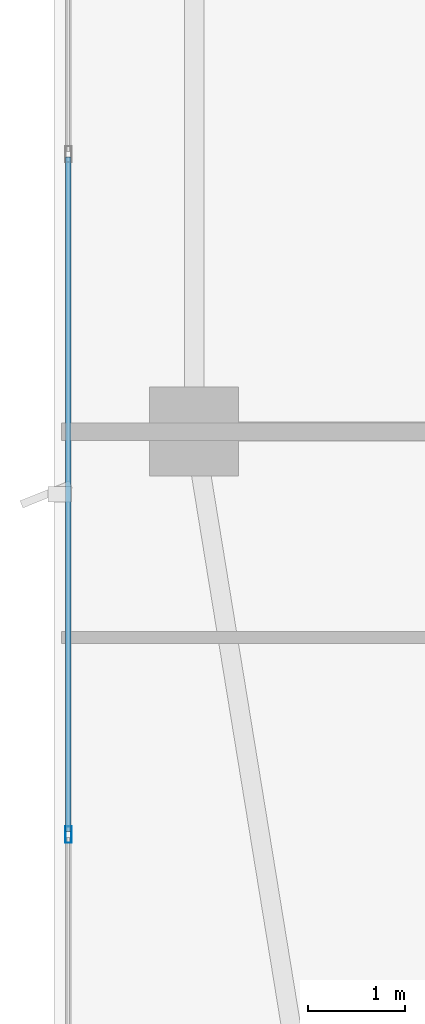
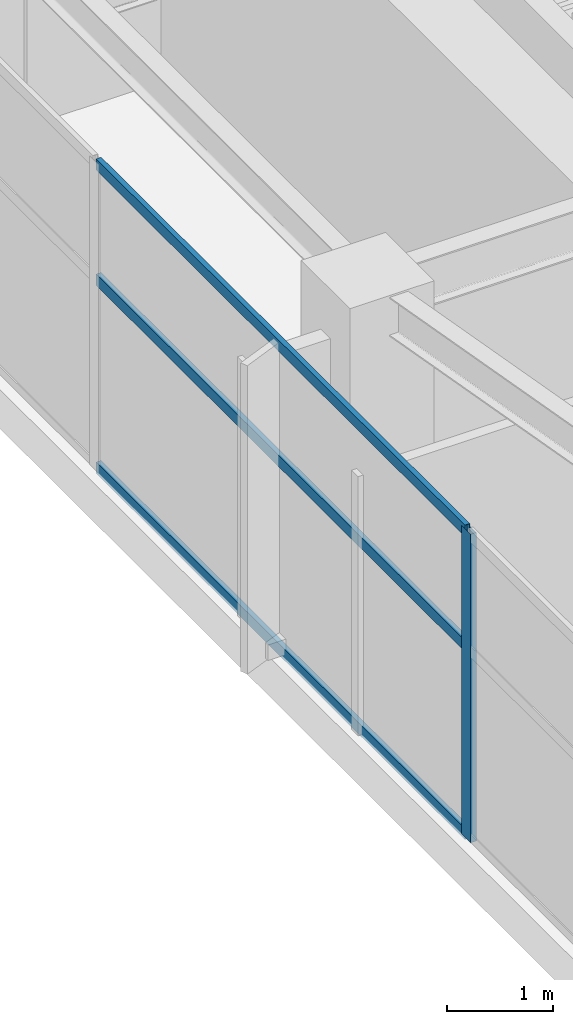
# One storey, part 5 of 28: 4 members, 1 element without a shape of its own.
"""IFC4 building model written with IfcOpenShell, lengths in metres."""

from ifc_helpers import new_model, si_unit, direction, frame, origin, origin_2d, place, context, subcontext, project, spatial, hollow_rectangle, extrude, material, layer, layer_set, material_profile, profile_set, type_object, element, aggregate, save


model = new_model("IFC4")

# Units and contexts
model_context = context("Model", 3, precision=1e-05, world=origin(), true_north=direction((0.0, 1.0)))
body_context = subcontext(model_context, "Body", "Model", "MODEL_VIEW")
ifc_project = project(units=[si_unit("LENGTHUNIT", "METRE"), si_unit("AREAUNIT", "SQUARE_METRE"), si_unit("VOLUMEUNIT", "CUBIC_METRE"), si_unit("PLANEANGLEUNIT", "RADIAN"), si_unit("MASSUNIT", "GRAM", prefix="KILO")], contexts=[model_context])

# Site, building, storey
site_placement = place(None, origin())
site = spatial("IfcSite", under=ifc_project, at=site_placement, CompositionType="ELEMENT")
building_placement = place(site_placement, origin())
building = spatial("IfcBuilding", under=site, at=building_placement, Name="Calvorn Quay Hotel", CompositionType="ELEMENT")
storey_placement = place(building_placement, frame((0.0, 0.0, 263.5)))
storey = spatial("IfcBuildingStorey", under=building, at=storey_placement, Name="L65", CompositionType="ELEMENT", Elevation=263.5)

# Curtain wall, members
ifc_material_1 = material(Name="Champagne Bronze Anodised Aluminium and Low-E Glass", Category="aluminium")
ifc_layer = layer(ifc_material_1, 0.219970703125)
ifc_layer_set = layer_set([ifc_layer], Name="CW-SYS-Z4")
curtain_wall_type = type_object("IfcCurtainWallType", Name="CW-SYS-Z4", PredefinedType="NOTDEFINED", material=ifc_layer_set)
curtain_wall_placement = place(storey_placement, origin())
curtain_wall = element("IfcCurtainWall", 1, at=curtain_wall_placement, inside=storey, type_object=curtain_wall_type, Name="Tower West Curtain Wall (L65)", PredefinedType="NOTDEFINED")
ifc_material_2 = material(Name="Champagne Bronze Anodised Aluminium 6063-T6", Category="aluminium")
ifc_material_profile_1 = material_profile(ifc_material_2, hollow_rectangle(XDim=0.06494140625, YDim=0.169921875, WallThickness=0.00341796875, at=origin_2d()), Name="ALU-M170x65x3.5")
ifc_profile_set_1 = profile_set([ifc_material_profile_1], Name="Champagne Bronze Anodised Aluminium 6063-T6")
member_type_1 = type_object("IfcMemberType", Name="CW-SYS-Z4-MUL", PredefinedType="MULLION", material=ifc_profile_set_1)
member_1_placement = place(storey_placement, frame((0.14990234375, 12.63330078125, 0.0), z_axis=(0.0, 0.0, 1.0), x_axis=(-1.0, 0.0, 0.0)))
member_1 = element("IfcMember", 2, at=member_1_placement, type_object=member_type_1, Name="CW-L65-W mullion 2", PredefinedType="MULLION", context=body_context, shape_type="SweptSolid", body=[
    extrude(hollow_rectangle(XDim=0.06494140625, YDim=0.169921875, WallThickness=0.00341796875, at=origin_2d()), origin(), (0.0, 0.0, 1.0), 3.56005859375),
])
ifc_material_3 = material(Name="Champagne Bronze Anodised Aluminium 6063-T6", Category="aluminium")
ifc_material_profile_2 = material_profile(ifc_material_3, hollow_rectangle(XDim=0.054931640625, YDim=0.1298828125, WallThickness=0.003173828125, at=origin_2d()), Name="ALU-T130x55x3.2")
ifc_profile_set_2 = profile_set([ifc_material_profile_2], Name="Champagne Bronze Anodised Aluminium 6063-T6")
member_type_2 = type_object("IfcMemberType", Name="CW-SYS-Z4-TRN", PredefinedType="USERDEFINED", material=ifc_profile_set_2)
member_2_placement = place(storey_placement, frame((0.14990234375, 12.663330078125, 0.030029296875), z_axis=(0.0, 1.0, 0.0), x_axis=(-1.0, 0.0, 0.0)))
member_2 = element("IfcMember", 3, at=member_2_placement, type_object=member_type_2, Name="CW-L65-W transom 2.1", ObjectType="TRANSOM", PredefinedType="USERDEFINED", context=body_context, shape_type="SweptSolid", body=[
    extrude(hollow_rectangle(XDim=0.054931640625, YDim=0.1298828125, WallThickness=0.003173828125, at=origin_2d()), origin(), (0.0, 0.0, 1.0), 6.973388671875),
])
member_3_placement = place(storey_placement, frame((0.14990234375, 12.663330078125, 2.199951171875), z_axis=(0.0, 1.0, 0.0), x_axis=(-1.0, 0.0, 0.0)))
member_3 = element("IfcMember", 4, at=member_3_placement, type_object=member_type_2, Name="CW-L65-W transom 2.2", ObjectType="TRANSOM", PredefinedType="USERDEFINED", context=body_context, shape_type="SweptSolid", body=[
    extrude(hollow_rectangle(XDim=0.054931640625, YDim=0.1298828125, WallThickness=0.003173828125, at=origin_2d()), origin(), (0.0, 0.0, 1.0), 6.973388671875),
])
member_4_placement = place(storey_placement, frame((0.14990234375, 12.663330078125, 3.530029296875), z_axis=(0.0, 1.0, 0.0), x_axis=(-1.0, 0.0, 0.0)))
member_4 = element("IfcMember", 5, at=member_4_placement, type_object=member_type_2, Name="CW-L65-W transom 2.3", ObjectType="TRANSOM", PredefinedType="USERDEFINED", context=body_context, shape_type="SweptSolid", body=[
    extrude(hollow_rectangle(XDim=0.054931640625, YDim=0.1298828125, WallThickness=0.003173828125, at=origin_2d()), origin(), (0.0, 0.0, 1.0), 6.973388671875),
])
aggregate(curtain_wall, [member_1, member_2, member_3, member_4])

save(model, "model.ifc")
